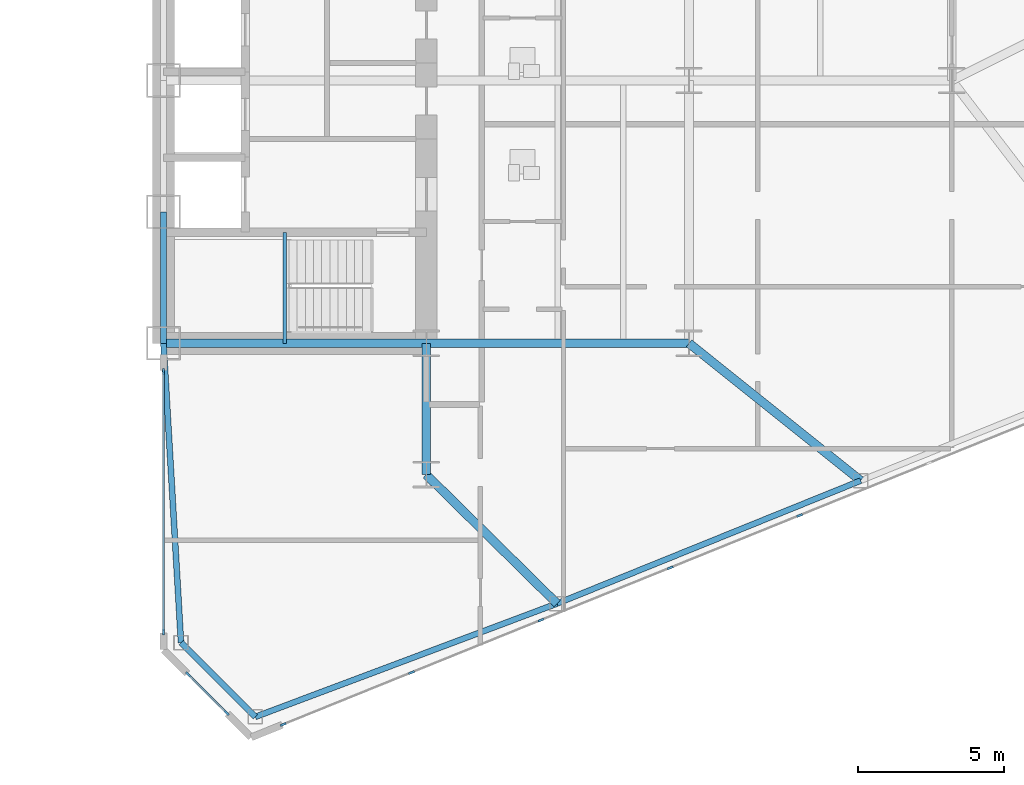
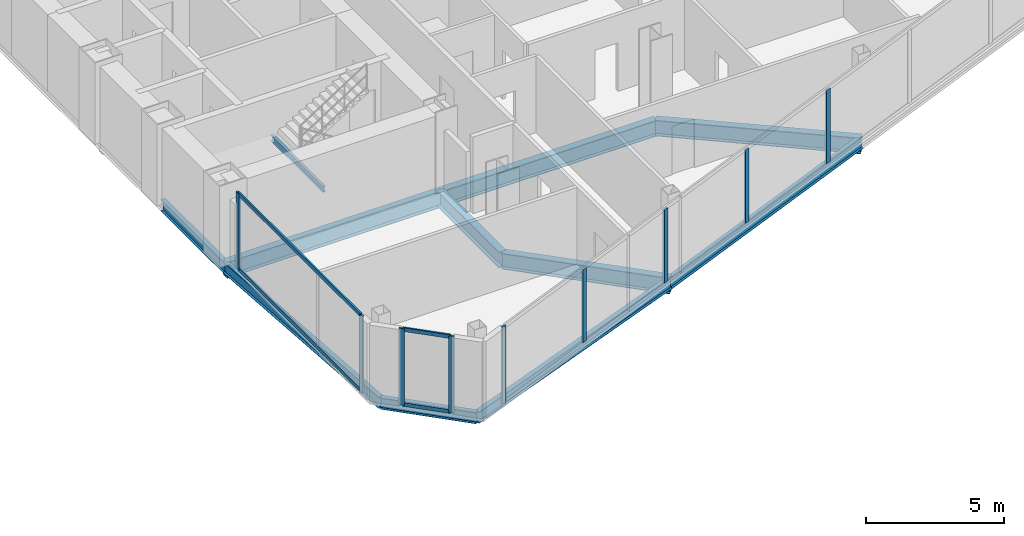
# One storey, part 9 of 25: 13 members, 11 beams, 3 elements without a shape of their own.
"""IFC4 building model written with IfcOpenShell, lengths in metres."""

from ifc_helpers import new_model, si_unit, direction, frame, origin, origin_2d, place, context, subcontext, project, spatial, rectangle, i_section, extrude, source, transform, mapped, material, layer, layer_set, material_profile, profile_set, type_object, type_shapes, element, aggregate, save


model = new_model("IFC4")

# Units and contexts
model_context = context("Model", 3, precision=1e-05, world=origin(), true_north=direction((0.0, 1.0)))
body_context = subcontext(model_context, "Body", "Model", "MODEL_VIEW")
ifc_project = project(units=[si_unit("LENGTHUNIT", "METRE"), si_unit("AREAUNIT", "SQUARE_METRE"), si_unit("VOLUMEUNIT", "CUBIC_METRE"), si_unit("PLANEANGLEUNIT", "RADIAN"), si_unit("MASSUNIT", "GRAM", prefix="KILO")], contexts=[model_context])

# Site, building, storey
site_placement = place(None, origin())
site = spatial("IfcSite", under=ifc_project, at=site_placement, CompositionType="ELEMENT")
building_placement = place(site_placement, origin())
building = spatial("IfcBuilding", under=site, at=building_placement, Name="Seokmaru Belvedere", CompositionType="ELEMENT")
storey_placement = place(building_placement, frame((0.0, 0.0, 26.10009765625)))
storey = spatial("IfcBuildingStorey", under=building, at=storey_placement, Name="L06", CompositionType="ELEMENT", Elevation=26.10009765625)

# Beams
ifc_material_1 = material(Name="Steel SM355 (355 MPa)", Category="steel")
ifc_material_profile_1 = material_profile(ifc_material_1, i_section(OverallWidth=0.199951171875, OverallDepth=0.5, WebThickness=0.010009765625, FlangeThickness=0.01611328125, at=origin_2d()), Name="H-500x200x10x16")
ifc_profile_set_1 = profile_set([ifc_material_profile_1], Name="Steel SM355 (355 MPa)")
beam_type_1 = type_object("IfcBeamType", Name="Perimeter Spandrel Beam H-500", PredefinedType="SPANDREL", material=ifc_profile_set_1)
shared_shape_1 = source(origin(), body_context, "Body", "SweptSolid", [
    extrude(i_section(OverallWidth=0.199951171875, OverallDepth=0.5, WebThickness=0.010009765625, FlangeThickness=0.01611328125, at=origin_2d()), origin(), (0.0, 0.0, 1.0), 4.5),
])
beam_1_placement = place(storey_placement, frame((27.5, -13.5, -0.47021484375), z_axis=(0.0, 1.0, 0.0), x_axis=(-1.0, 0.0, 0.0)))
element("IfcBeam", 1, at=beam_1_placement, inside=storey, type_object=beam_type_1, Name="L06 E Portal Spine Spandrel 1", PredefinedType="SPANDREL", context=body_context, shape_type="MappedRepresentation", body=[
    mapped(shared_shape_1, transform((0.0, 0.0, 0.0), scale=1.0)),
])
ifc_material_profile_2 = material_profile(ifc_material_1, i_section(OverallWidth=0.300048828125, OverallDepth=0.699951171875, WebThickness=0.012939453125, FlangeThickness=0.02392578125, at=origin_2d()), Name="H-700x300x13x24")
ifc_profile_set_2 = profile_set([ifc_material_profile_2], Name="Steel SM355 (355 MPa)")
beam_type_2 = type_object("IfcBeamType", Name="Primary Floor Girder H-700", PredefinedType="BEAM", material=ifc_profile_set_2)
shared_shape_2 = source(origin(), body_context, "Body", "SweptSolid", [
    extrude(i_section(OverallWidth=0.300048828125, OverallDepth=0.699951171875, WebThickness=0.012939453125, FlangeThickness=0.02392578125, at=origin_2d()), origin(), (0.0, 0.0, 1.0), 4.5),
])
beam_2_placement = place(storey_placement, frame((36.5, -18.0, -0.570068359375), z_axis=(0.0, 1.0, 0.0), x_axis=(-1.0, 0.0, 0.0)))
element("IfcBeam", 2, at=beam_2_placement, inside=storey, type_object=beam_type_2, Name="L06 E Core Shoulder Girder S", PredefinedType="BEAM", context=body_context, shape_type="MappedRepresentation", body=[
    mapped(shared_shape_2, transform((0.0, 0.0, 0.0), scale=1.0)),
])
shared_shape_3 = source(origin(), body_context, "Body", "SweptSolid", [
    extrude(i_section(OverallWidth=0.300048828125, OverallDepth=0.699951171875, WebThickness=0.012939453125, FlangeThickness=0.02392578125, at=origin_2d()), origin(), (0.0, 0.0, 1.0), 9.0),
])
for number, where, z_axis, x_axis, name in (
    (3, (27.5, -13.5, -0.570068359375), (1.0, 0.0, 0.0), (0.0, 1.0, 0.0), "L06 E Core Tie Girder 1"),
    (4, (36.5, -13.5, -0.570068359375), (1.0, 0.0, 0.0), (0.0, 1.0, 0.0), "L06 E Wing Primary Girder 1"),
):
    element("IfcBeam", number, at=place(storey_placement, frame(where, z_axis=z_axis, x_axis=x_axis)), inside=storey, type_object=beam_type_2, Name=name, PredefinedType="BEAM", context=body_context, shape_type="MappedRepresentation", body=[
        mapped(shared_shape_3, transform((0.0, 0.0, 0.0), scale=1.0)),
    ])
shared_shape_4 = source(origin(), body_context, "Body", "SweptSolid", [
    extrude(i_section(OverallWidth=0.199951171875, OverallDepth=0.5, WebThickness=0.010009765625, FlangeThickness=0.01611328125, at=origin_2d()), origin(), (0.0, 0.0, 1.0), 11.03857421875),
])
beam_3_placement = place(storey_placement, frame((30.643310546875, -26.294677734375, -0.47021484375), z_axis=(0.936169110734, 0.351549990907, 0.0), x_axis=(-0.351549990907, 0.936169110734, 0.0)))
element("IfcBeam", 5, at=beam_3_placement, inside=storey, type_object=beam_type_1, Name="L06 E Faceted Flank Spandrel S-1", PredefinedType="SPANDREL", context=body_context, shape_type="MappedRepresentation", body=[
    mapped(shared_shape_4, transform((0.0, 0.0, 0.0), scale=1.0)),
])
shared_shape_5 = source(origin(), body_context, "Body", "SweptSolid", [
    extrude(i_section(OverallWidth=0.199951171875, OverallDepth=0.5, WebThickness=0.010009765625, FlangeThickness=0.01611328125, at=origin_2d()), origin(), (0.0, 0.0, 1.0), 11.220703125),
])
beam_4_placement = place(storey_placement, frame((40.977294921875, -22.4140625, -0.47021484375), z_axis=(0.926944290816, 0.375198989503, 0.0), x_axis=(-0.375198989503, 0.926944290816, 0.0)))
element("IfcBeam", 6, at=beam_4_placement, inside=storey, type_object=beam_type_1, Name="L06 E Faceted Flank Spandrel S-2", PredefinedType="SPANDREL", context=body_context, shape_type="MappedRepresentation", body=[
    mapped(shared_shape_5, transform((0.0, 0.0, 0.0), scale=1.0)),
])
shared_shape_6 = source(origin(), body_context, "Body", "SweptSolid", [
    extrude(i_section(OverallWidth=0.199951171875, OverallDepth=0.5, WebThickness=0.010009765625, FlangeThickness=0.01611328125, at=origin_2d()), origin(), (0.0, 0.0, 1.0), 3.5966796875),
])
beam_5_placement = place(storey_placement, frame((30.643310546875, -26.294677734375, -0.47021484375), z_axis=(-0.707106781187, 0.707106781187, 0.0), x_axis=(-0.707106781187, -0.707106781187, 0.0)))
element("IfcBeam", 7, at=beam_5_placement, inside=storey, type_object=beam_type_1, Name="L06 E Shoulder Chamfer Spandrel S", PredefinedType="SPANDREL", context=body_context, shape_type="MappedRepresentation", body=[
    mapped(shared_shape_6, transform((0.0, 0.0, 0.0), scale=1.0)),
])
shared_shape_7 = source(origin(), body_context, "Body", "SweptSolid", [
    extrude(i_section(OverallWidth=0.199951171875, OverallDepth=0.5, WebThickness=0.010009765625, FlangeThickness=0.01611328125, at=origin_2d()), origin(), (0.0, 0.0, 1.0), 10.26904296875),
])
type_shapes(beam_type_1, [shared_shape_1, shared_shape_4, shared_shape_5, shared_shape_6, shared_shape_7])
beam_6_placement = place(storey_placement, frame((28.10009765625, -23.75146484375, -0.47021484375), z_axis=(-0.058437709399, 0.998291056817, 0.0), x_axis=(-0.998291056817, -0.058437709399, 0.0)))
element("IfcBeam", 8, at=beam_6_placement, inside=storey, type_object=beam_type_1, Name="L06 E Shoulder Spine Spandrel S", PredefinedType="SPANDREL", context=body_context, shape_type="MappedRepresentation", body=[
    mapped(shared_shape_7, transform((0.0, 0.0, 0.0), scale=1.0)),
])
shared_shape_8 = source(origin(), body_context, "Body", "SweptSolid", [
    extrude(i_section(OverallWidth=0.300048828125, OverallDepth=0.699951171875, WebThickness=0.012939453125, FlangeThickness=0.02392578125, at=origin_2d()), origin(), (0.0, 0.0, 1.0), 6.287353515625),
])
beam_7_placement = place(storey_placement, frame((40.977294921875, -22.4140625, -0.570068359375), z_axis=(-0.712117485263, 0.702060315915, 0.0), x_axis=(-0.702060315915, -0.712117485263, 0.0)))
element("IfcBeam", 9, at=beam_7_placement, inside=storey, type_object=beam_type_2, Name="L06 E Flank Radial Floor Girder S-1", PredefinedType="BEAM", context=body_context, shape_type="MappedRepresentation", body=[
    mapped(shared_shape_8, transform((0.0, 0.0, 0.0), scale=1.0)),
])
shared_shape_9 = source(origin(), body_context, "Body", "SweptSolid", [
    extrude(i_section(OverallWidth=0.300048828125, OverallDepth=0.699951171875, WebThickness=0.012939453125, FlangeThickness=0.02392578125, at=origin_2d()), origin(), (0.0, 0.0, 1.0), 7.52880859375),
])
type_shapes(beam_type_2, [shared_shape_2, shared_shape_3, shared_shape_8, shared_shape_9])
beam_8_placement = place(storey_placement, frame((51.378173828125, -18.2041015625, -0.570068359375), z_axis=(-0.780767560736, 0.624821587418, 0.0), x_axis=(-0.624821587418, -0.780767560736, 0.0)))
element("IfcBeam", 10, at=beam_8_placement, inside=storey, type_object=beam_type_2, Name="L06 E Flank Radial Floor Girder S-2", PredefinedType="BEAM", context=body_context, shape_type="MappedRepresentation", body=[
    mapped(shared_shape_9, transform((0.0, 0.0, 0.0), scale=1.0)),
])

# Curtain wall, members
ifc_material_2 = material(Name="Bronze Triple Insulating Glass", Category="glass")
ifc_layer = layer(ifc_material_2, 0.2099609375)
ifc_layer_set = layer_set([ifc_layer], Name="Bronze Triple Insulating Glass")
curtain_wall_type = type_object("IfcCurtainWallType", Name="Low-Rise Faceted Crystal Curtain Wall System CW-2", PredefinedType="NOTDEFINED", material=ifc_layer_set)
curtain_wall_1_placement = place(storey_placement, origin())
curtain_wall_1 = element("IfcCurtainWall", 11, at=curtain_wall_1_placement, inside=storey, type_object=curtain_wall_type, Name="L06 Curtain Wall ESP_1", PredefinedType="NOTDEFINED")
ifc_material_3 = material(Name="Anodised Bronze Aluminium", Category="aluminium")
ifc_material_profile_3 = material_profile(ifc_material_3, rectangle(XDim=0.070068359375, YDim=0.1650390625, at=origin_2d()), Name="CW-T-70x165")
ifc_profile_set_3 = profile_set([ifc_material_profile_3], Name="Anodised Bronze Aluminium")
member_type_1 = type_object("IfcMemberType", Name="Bronze Unitised Transom 70x165", PredefinedType="USERDEFINED", material=ifc_profile_set_3)
shared_shape_10 = source(origin(), body_context, "Body", "SweptSolid", [
    extrude(rectangle(XDim=0.070068359375, YDim=0.1650390625, at=origin_2d()), origin(), (0.0, 0.0, 1.0), 8.85009765625),
])
member_1_placement = place(storey_placement, frame((27.5, -14.5048828125, 0.034912109375), z_axis=(0.0, -1.0, 0.0), x_axis=(1.0, 0.0, 0.0)))
member_1 = element("IfcMember", 12, at=member_1_placement, type_object=member_type_1, Name="CW:L06:ESP_1 Continuous Transom 1", ObjectType="TRANSOM", PredefinedType="USERDEFINED", context=body_context, shape_type="MappedRepresentation", body=[
    mapped(shared_shape_10, transform((0.0, 0.0, 0.0), scale=1.0)),
])
member_2_placement = place(storey_placement, frame((27.5, -14.5048828125, 3.344970703125), z_axis=(0.0, -1.0, 0.0), x_axis=(1.0, 0.0, 0.0)))
member_2 = element("IfcMember", 13, at=member_2_placement, type_object=member_type_1, Name="CW:L06:ESP_1 Continuous Transom 2", ObjectType="TRANSOM", PredefinedType="USERDEFINED", context=body_context, shape_type="MappedRepresentation", body=[
    mapped(shared_shape_10, transform((0.0, 0.0, 0.0), scale=1.0)),
])

curtain_wall_2_placement = place(storey_placement, origin())
curtain_wall_2 = element("IfcCurtainWall", 14, at=curtain_wall_2_placement, inside=storey, type_object=curtain_wall_type, Name="L06 Curtain Wall EF6", PredefinedType="NOTDEFINED")
shared_shape_11 = source(origin(), body_context, "Body", "SweptSolid", [
    extrude(rectangle(XDim=0.070068359375, YDim=0.1650390625, at=origin_2d()), origin(), (0.0, 0.0, 1.0), 1.792724609375),
])
type_shapes(member_type_1, [shared_shape_10, shared_shape_11])
member_3_placement = place(storey_placement, frame((28.3662109375, -24.8662109375, 0.034912109375), z_axis=(0.707106781187, -0.707106781187, 0.0), x_axis=(0.707106781187, 0.707106781187, 0.0)))
member_3 = element("IfcMember", 15, at=member_3_placement, type_object=member_type_1, Name="CW:L06:EF6 Continuous Transom 1", ObjectType="TRANSOM", PredefinedType="USERDEFINED", context=body_context, shape_type="MappedRepresentation", body=[
    mapped(shared_shape_11, transform((0.0, 0.0, 0.0), scale=1.0)),
])
member_4_placement = place(storey_placement, frame((28.3662109375, -24.8662109375, 3.344970703125), z_axis=(0.707106781187, -0.707106781187, 0.0), x_axis=(0.707106781187, 0.707106781187, 0.0)))
member_4 = element("IfcMember", 16, at=member_4_placement, type_object=member_type_1, Name="CW:L06:EF6 Continuous Transom 2", ObjectType="TRANSOM", PredefinedType="USERDEFINED", context=body_context, shape_type="MappedRepresentation", body=[
    mapped(shared_shape_11, transform((0.0, 0.0, 0.0), scale=1.0)),
])

curtain_wall_3_placement = place(storey_placement, origin())
curtain_wall_3 = element("IfcCurtainWall", 17, at=curtain_wall_3_placement, inside=storey, type_object=curtain_wall_type, Name="L06 Curtain Wall EF1", PredefinedType="NOTDEFINED")
ifc_material_profile_4 = material_profile(ifc_material_3, rectangle(XDim=0.074951171875, YDim=0.2099609375, at=origin_2d()), Name="CW-M-75x210")
ifc_profile_set_4 = profile_set([ifc_material_profile_4], Name="Anodised Bronze Aluminium")
member_type_2 = type_object("IfcMemberType", Name="Bronze Unitised Mullion 75x210", PredefinedType="MULLION", material=ifc_profile_set_4)
shared_shape_12 = source(origin(), body_context, "Body", "SweptSolid", [
    extrude(rectangle(XDim=0.074951171875, YDim=0.2099609375, at=origin_2d()), origin(), (0.0, 0.0, 1.0), 3.239990234375),
])
member_5_placement = place(storey_placement, frame((35.995849609375, -24.775390625, 0.06982421875), z_axis=(0.0, 0.0, 1.0), x_axis=(-0.375192321888, 0.926946989637, 0.0)))
member_5 = element("IfcMember", 18, at=member_5_placement, type_object=member_type_2, Name="CW:L06:EF1 Mullion 2", PredefinedType="MULLION", context=body_context, shape_type="MappedRepresentation", body=[
    mapped(shared_shape_12, transform((0.0, 0.0, 0.0), scale=1.0)),
])
member_6_placement = place(storey_placement, frame((40.425537109375, -22.982421875, 0.06982421875), z_axis=(0.0, 0.0, 1.0), x_axis=(-0.375192321888, 0.926946989637, 0.0)))
member_6 = element("IfcMember", 19, at=member_6_placement, type_object=member_type_2, Name="CW:L06:EF1 Mullion 3", PredefinedType="MULLION", context=body_context, shape_type="MappedRepresentation", body=[
    mapped(shared_shape_12, transform((0.0, 0.0, 0.0), scale=1.0)),
])
member_7_placement = place(storey_placement, frame((44.855224609375, -21.189453125, 0.06982421875), z_axis=(0.0, 0.0, 1.0), x_axis=(-0.375192321888, 0.926946989637, 0.0)))
member_7 = element("IfcMember", 20, at=member_7_placement, type_object=member_type_2, Name="CW:L06:EF1 Mullion 4", PredefinedType="MULLION", context=body_context, shape_type="MappedRepresentation", body=[
    mapped(shared_shape_12, transform((0.0, 0.0, 0.0), scale=1.0)),
])
member_8_placement = place(storey_placement, frame((49.28515625, -19.396484375, 0.06982421875), z_axis=(0.0, 0.0, 1.0), x_axis=(-0.375192321888, 0.926946989637, 0.0)))
member_8 = element("IfcMember", 21, at=member_8_placement, type_object=member_type_2, Name="CW:L06:EF1 Mullion 5", PredefinedType="MULLION", context=body_context, shape_type="MappedRepresentation", body=[
    mapped(shared_shape_12, transform((0.0, 0.0, 0.0), scale=1.0)),
])
shared_shape_13 = source(origin(), body_context, "Body", "SweptSolid", [
    extrude(rectangle(XDim=0.074951171875, YDim=0.2099609375, at=origin_2d()), origin(), (0.0, 0.0, 1.0), 3.3798828125),
])
type_shapes(member_type_2, [shared_shape_12, shared_shape_13])
member_9_placement = place(storey_placement, frame((31.600830078125, -26.554443359375, 0.0), z_axis=(0.0, 0.0, 1.0), x_axis=(-0.375192321888, 0.926946989637, 0.0)))
member_9 = element("IfcMember", 22, at=member_9_placement, type_object=member_type_2, Name="CW:L06:EF1 Mullion 1", PredefinedType="MULLION", context=body_context, shape_type="MappedRepresentation", body=[
    mapped(shared_shape_13, transform((0.0, 0.0, 0.0), scale=1.0)),
])
aggregate(curtain_wall_3, [member_9, member_5, member_6, member_7, member_8])

# Member
member_10_placement = place(storey_placement, frame((27.5, -14.467529296875, 0.0), z_axis=(0.0, 0.0, 1.0), x_axis=(1.0, 0.0, 0.0)))
member_10 = element("IfcMember", 23, at=member_10_placement, type_object=member_type_2, Name="CW:L06:ESP_1 Mullion 1", PredefinedType="MULLION", context=body_context, shape_type="MappedRepresentation", body=[
    mapped(shared_shape_13, transform((0.0, 0.0, 0.0), scale=1.0)),
])

member_11_placement = place(storey_placement, frame((27.5, -23.392578125, 0.0), z_axis=(0.0, 0.0, 1.0), x_axis=(1.0, 0.0, 0.0)))
member_11 = element("IfcMember", 24, at=member_11_placement, type_object=member_type_2, Name="CW:L06:ESP_1 Mullion 2", PredefinedType="MULLION", context=body_context, shape_type="MappedRepresentation", body=[
    mapped(shared_shape_13, transform((0.0, 0.0, 0.0), scale=1.0)),
])

aggregate(curtain_wall_1, [member_10, member_11, member_1, member_2])

member_12_placement = place(storey_placement, frame((28.339599609375, -24.839599609375, 0.0), z_axis=(0.0, 0.0, 1.0), x_axis=(0.707106781187, 0.707106781187, 0.0)))
member_12 = element("IfcMember", 25, at=member_12_placement, type_object=member_type_2, Name="CW:L06:EF6 Mullion 1", PredefinedType="MULLION", context=body_context, shape_type="MappedRepresentation", body=[
    mapped(shared_shape_13, transform((0.0, 0.0, 0.0), scale=1.0)),
])

member_13_placement = place(storey_placement, frame((29.660400390625, -26.160400390625, 0.0), z_axis=(0.0, 0.0, 1.0), x_axis=(0.707106781187, 0.707106781187, 0.0)))
member_13 = element("IfcMember", 26, at=member_13_placement, type_object=member_type_2, Name="CW:L06:EF6 Mullion 2", PredefinedType="MULLION", context=body_context, shape_type="MappedRepresentation", body=[
    mapped(shared_shape_13, transform((0.0, 0.0, 0.0), scale=1.0)),
])

aggregate(curtain_wall_2, [member_12, member_13, member_3, member_4])

# Beam
ifc_material_profile_5 = material_profile(ifc_material_1, i_section(OverallWidth=0.125, OverallDepth=0.25, WebThickness=0.006103515625, FlangeThickness=0.009033203125, at=origin_2d()), Name="H-250x125x6x9")
ifc_profile_set_5 = profile_set([ifc_material_profile_5], Name="Steel SM355 (355 MPa)")
beam_type_3 = type_object("IfcBeamType", Name="Stair Mid-Landing Support Beam H-250", PredefinedType="JOIST", material=ifc_profile_set_5)
shared_shape_14 = source(origin(), body_context, "Body", "SweptSolid", [
    extrude(i_section(OverallWidth=0.125, OverallDepth=0.25, WebThickness=0.006103515625, FlangeThickness=0.009033203125, at=origin_2d()), origin(), (0.0, 0.0, 1.0), 3.800048828125),
])
type_shapes(beam_type_3, [shared_shape_14])
beam_9_placement = place(storey_placement, frame((31.64990234375, -13.5, 1.474853515625), z_axis=(0.0, 1.0, 0.0), x_axis=(-1.0, 0.0, 0.0)))
element("IfcBeam", 27, at=beam_9_placement, inside=storey, type_object=beam_type_3, Name="L06 Stair ST-E1 Mid-Landing Support Beam 1", PredefinedType="JOIST", context=body_context, shape_type="MappedRepresentation", body=[
    mapped(shared_shape_14, transform((0.0, 0.0, 0.0), scale=1.0)),
])

save(model, "model.ifc")
